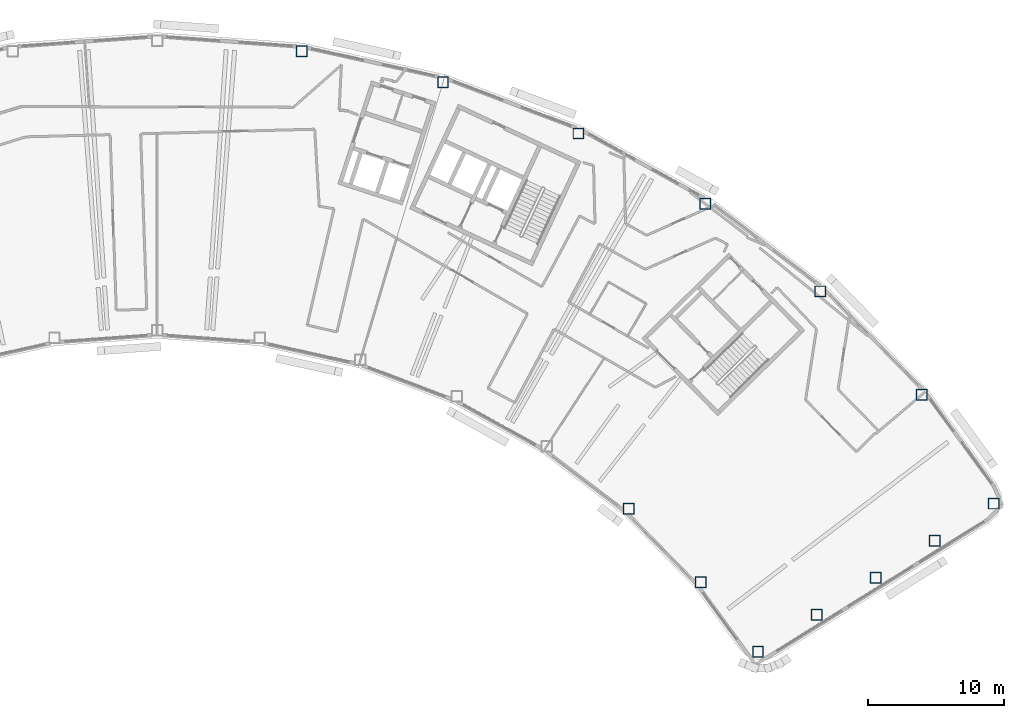
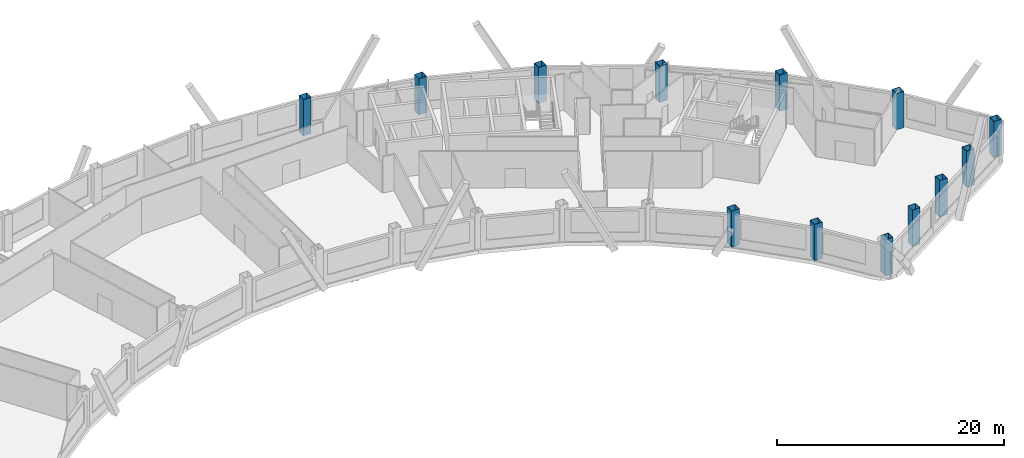
# One storey, part 2 of 13: 13 columns.
"""IFC4 building model written with IfcOpenShell, lengths in metres."""

from ifc_helpers import new_model, si_unit, direction, frame, origin, origin_2d, place, context, subcontext, project, spatial, hollow_rectangle, extrude, material, material_profile, profile_set, type_object, element, save


model = new_model("IFC4")

# Units and contexts
model_context = context("Model", 3, precision=1e-05, world=origin(), true_north=direction((0.0, 1.0)))
body_context = subcontext(model_context, "Body", "Model", "MODEL_VIEW")
ifc_project = project(units=[si_unit("LENGTHUNIT", "METRE"), si_unit("AREAUNIT", "SQUARE_METRE"), si_unit("VOLUMEUNIT", "CUBIC_METRE"), si_unit("PLANEANGLEUNIT", "RADIAN"), si_unit("MASSUNIT", "GRAM", prefix="KILO")], contexts=[model_context])

# Site, building, storey
site_placement = place(None, origin())
site = spatial("IfcSite", under=ifc_project, at=site_placement, CompositionType="ELEMENT")
building_placement = place(site_placement, origin())
building = spatial("IfcBuilding", under=site, at=building_placement, Name="Tuul Gate Civic Tower", CompositionType="ELEMENT")
storey_placement = place(building_placement, frame((0.0, 0.0, 285.800048828125)))
storey = spatial("IfcBuildingStorey", under=building, at=storey_placement, Name="Level 64", CompositionType="ELEMENT", Elevation=285.800048828125)

# Columns
ifc_material = material(Name="Steel S355", Category="steel")
ifc_material_profile = material_profile(ifc_material, hollow_rectangle(XDim=0.800048828125, YDim=0.800048828125, WallThickness=0.031982421875, at=origin_2d()), Name="BOX800x800x32")
ifc_profile_set = profile_set([ifc_material_profile], Name="Steel S355")
column_type = type_object("IfcColumnType", Name="STR-COLUMN-BOX800x800x32", PredefinedType="COLUMN", material=ifc_profile_set)
for number, where, z_axis, x_axis, name in (
    (1, (68.458984375, -24.89697265625, 0.0), (0.0, 0.0, 1.0), (1.0, 0.0, 0.0), "Column"),
    (2, (63.159912109375, -16.884033203125, 0.0), (0.0, 0.0, 1.0), (1.0, 0.0, 0.0), "Column"),
    (3, (55.68603515625, -9.259033203125, 0.0), (0.0, 0.0, 1.0), (1.0, 0.0, 0.0), "Column"),
    (4, (47.19091796875, -2.791015625, 0.0), (0.0, 0.0, 1.0), (1.0, 0.0, 0.0), "Column"),
    (5, (37.85205078125, 2.385009765625, 0.0), (0.0, 0.0, 1.0), (1.0, 0.0, 0.0), "Column"),
    (6, (27.864990234375, 6.162109375, 0.0), (0.0, 0.0, 1.0), (1.0, 0.0, 0.0), "Column"),
    (7, (17.43798828125, 8.4599609375, 0.0), (0.0, 0.0, 1.0), (1.0, 0.0, 0.0), "Column"),
    (8, (41.554931640625, -25.27099609375, 0.0), (0.0, 0.0, 1.0), (1.0, 0.0, 0.0), "Column"),
    (9, (46.868896484375, -30.693115234375, 0.0), (0.0, 0.0, 1.0), (1.0, 0.0, 0.0), "Column"),
    (10, (51.089111328125, -35.8349609375, 0.0), (0.0, 0.0, 1.0), (1.0, 0.0, 0.0), "Column"),
    (11, (55.431884765625, -33.10009765625, 0.0), (0.0, 0.0, 1.0), (1.0, 0.0, 0.0), "Column"),
    (12, (59.77392578125, -30.365966796875, 0.0), (0.0, 0.0, 1.0), (1.0, 0.0, 0.0), "Column"),
    (13, (64.116943359375, -27.631103515625, 0.0), (0.0, 0.0, 1.0), (1.0, 0.0, 0.0), "Column"),
):
    element("IfcColumn", number, at=place(storey_placement, frame(where, z_axis=z_axis, x_axis=x_axis)), inside=storey, type_object=column_type, Name=name, PredefinedType="COLUMN", context=body_context, shape_type="SweptSolid", body=[
        extrude(hollow_rectangle(XDim=0.800048828125, YDim=0.800048828125, WallThickness=0.031982421875, at=origin_2d()), origin(), (0.0, 0.0, 1.0), 3.89990234375),
    ])

save(model, "model.ifc")
